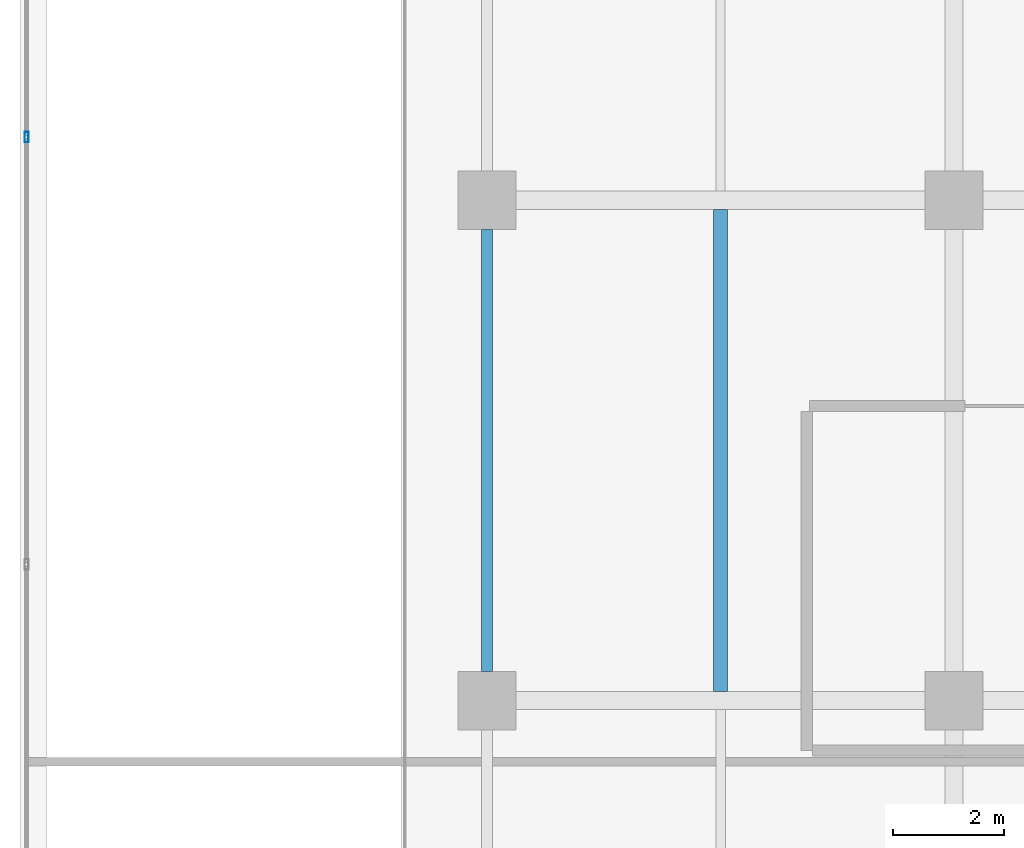
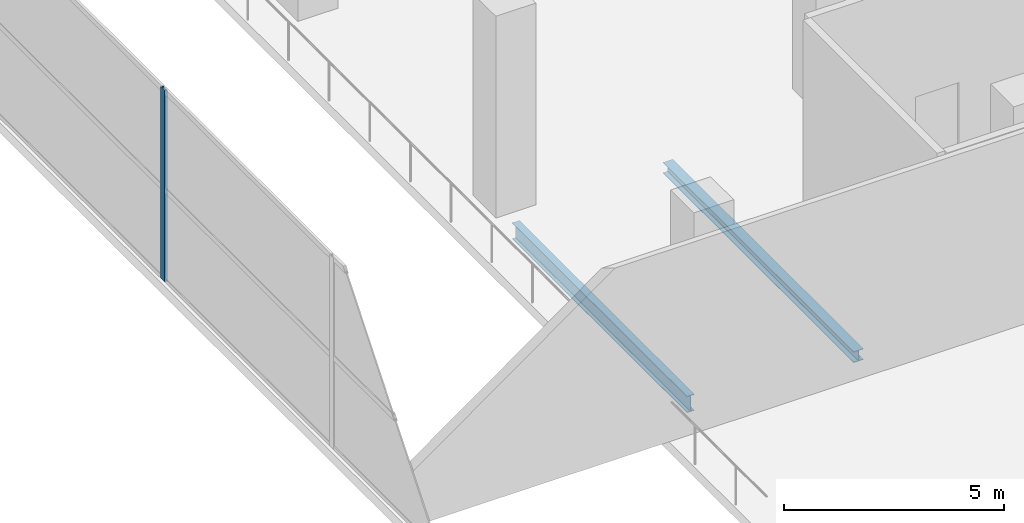
# One storey, part 17 of 35: 2 beams, 1 member, 1 element without a shape of its own.
"""IFC4 building model written with IfcOpenShell, lengths in metres."""

from ifc_helpers import new_model, si_unit, direction, frame, origin, origin_2d, place, context, subcontext, project, spatial, hollow_rectangle, i_section, extrude, material, layer, layer_set, material_profile, profile_set, type_object, element, aggregate, save


model = new_model("IFC4")

# Units and contexts
model_context = context("Model", 3, precision=1e-05, world=origin(), true_north=direction((0.0, 1.0)))
body_context = subcontext(model_context, "Body", "Model", "MODEL_VIEW")
ifc_project = project(units=[si_unit("LENGTHUNIT", "METRE"), si_unit("AREAUNIT", "SQUARE_METRE"), si_unit("VOLUMEUNIT", "CUBIC_METRE"), si_unit("PLANEANGLEUNIT", "RADIAN"), si_unit("MASSUNIT", "GRAM", prefix="KILO")], contexts=[model_context])

# Site, building, storey
site_placement = place(None, origin())
site = spatial("IfcSite", under=ifc_project, at=site_placement, CompositionType="ELEMENT")
building_placement = place(site_placement, origin())
building = spatial("IfcBuilding", under=site, at=building_placement, Name="Maruvema Waterfront Hotel and Observation Tower", CompositionType="ELEMENT")
storey_placement = place(building_placement, origin())
storey = spatial("IfcBuildingStorey", under=building, at=storey_placement, Name="L00", CompositionType="ELEMENT", Elevation=0.0)

# Beam
ifc_material_1 = material(Name="Steel ASTM A572 Grade 50", Category="steel")
ifc_material_profile_1 = material_profile(ifc_material_1, i_section(OverallWidth=0.18994140625, OverallDepth=0.45703125, WebThickness=0.009033203125, FlangeThickness=0.014404296875, FilletRadius=0.014892578125, at=origin_2d()), Name="W460x74.0")
ifc_profile_set_1 = profile_set([ifc_material_profile_1], Name="Steel ASTM A572 Grade 50")
beam_type_1 = type_object("IfcBeamType", Name="Perimeter Spandrel Beam W460x74.0", PredefinedType="SPANDREL", material=ifc_profile_set_1)
beam_1_placement = place(storey_placement, frame((8.39990234375, 27.52490234375, -0.508544921875), z_axis=(0.0, 1.0, 0.0), x_axis=(-1.0, 0.0, 0.0)))
element("IfcBeam", 1, at=beam_1_placement, inside=storey, type_object=beam_type_1, Name="L00 Floor Girder NS-04", PredefinedType="SPANDREL", context=body_context, shape_type="SweptSolid", body=[
    extrude(i_section(OverallWidth=0.18994140625, OverallDepth=0.45703125, WebThickness=0.009033203125, FlangeThickness=0.014404296875, FilletRadius=0.014892578125, at=origin_2d()), origin(), (0.0, 0.0, 1.0), 7.9501953125),
])

# Curtain wall, member
ifc_material_2 = material(Name="Anodised bronze aluminium and solar-control low-E IGU", Category="aluminium")
ifc_layer = layer(ifc_material_2, 0.159912109375, Name="Podium Waterfront Storefront Curtain Wall System CW-01")
ifc_layer_set = layer_set([ifc_layer], Name="Anodised bronze aluminium and solar-control low-E IGU")
curtain_wall_type = type_object("IfcCurtainWallType", Name="Podium Waterfront Storefront Curtain Wall System CW-01", PredefinedType="USERDEFINED", material=ifc_layer_set)
curtain_wall_placement = place(storey_placement, origin())
curtain_wall = element("IfcCurtainWall", 2, at=curtain_wall_placement, inside=storey, type_object=curtain_wall_type, Name="L00 Curtain Wall CW-L00-W", ObjectType="UNITISED CURTAIN WALL", PredefinedType="USERDEFINED")
ifc_material_3 = material(Name="Anodised architectural bronze aluminium", Category="aluminium")
ifc_material_profile_2 = material_profile(ifc_material_3, hollow_rectangle(XDim=0.070068359375, YDim=0.18994140625, WallThickness=0.00390625, at=origin_2d()), Name="ALU-M70x190")
ifc_profile_set_2 = profile_set([ifc_material_profile_2], Name="Anodised architectural bronze aluminium")
member_type = type_object("IfcMemberType", Name="Podium Storefront Heavy Mullion ALU-M70x190", PredefinedType="MULLION", material=ifc_profile_set_2)
member_placement = place(storey_placement, frame((0.1201171875, 37.13330078125, 0.0), z_axis=(0.0, 0.0, 1.0), x_axis=(1.0, 0.0, 0.0)))
member = element("IfcMember", 3, at=member_placement, type_object=member_type, Name="CW-01 mullion 3", PredefinedType="MULLION", context=body_context, shape_type="SweptSolid", body=[
    extrude(hollow_rectangle(XDim=0.070068359375, YDim=0.18994140625, WallThickness=0.00390625, at=origin_2d()), origin(), (0.0, 0.0, 1.0), 5.320068359375),
])
aggregate(curtain_wall, [member])

# Beam
ifc_material_4 = material(Name="Steel ASTM A572 Grade 50", Category="steel")
ifc_material_profile_3 = material_profile(ifc_material_4, i_section(OverallWidth=0.25390625, OverallDepth=0.305908203125, WebThickness=0.0087890625, FlangeThickness=0.0146484375, FilletRadius=0.014892578125, at=origin_2d()), Name="W310x79.0")
ifc_profile_set_3 = profile_set([ifc_material_profile_3], Name="Steel ASTM A572 Grade 50")
beam_type_2 = type_object("IfcBeamType", Name="Secondary Floor Joist W310x79.0", PredefinedType="JOIST", material=ifc_profile_set_3)
beam_2_placement = place(storey_placement, frame((12.60009765625, 27.16455078125, -0.43310546875), z_axis=(0.0, 1.0, 0.0), x_axis=(-1.0, 0.0, 0.0)))
element("IfcBeam", 4, at=beam_2_placement, inside=storey, type_object=beam_type_2, Name="L00 Secondary Floor Joist JS-03", PredefinedType="JOIST", context=body_context, shape_type="SweptSolid", body=[
    extrude(i_section(OverallWidth=0.25390625, OverallDepth=0.305908203125, WebThickness=0.0087890625, FlangeThickness=0.0146484375, FilletRadius=0.014892578125, at=origin_2d()), origin(), (0.0, 0.0, 1.0), 8.6708984375),
])

save(model, "model.ifc")
